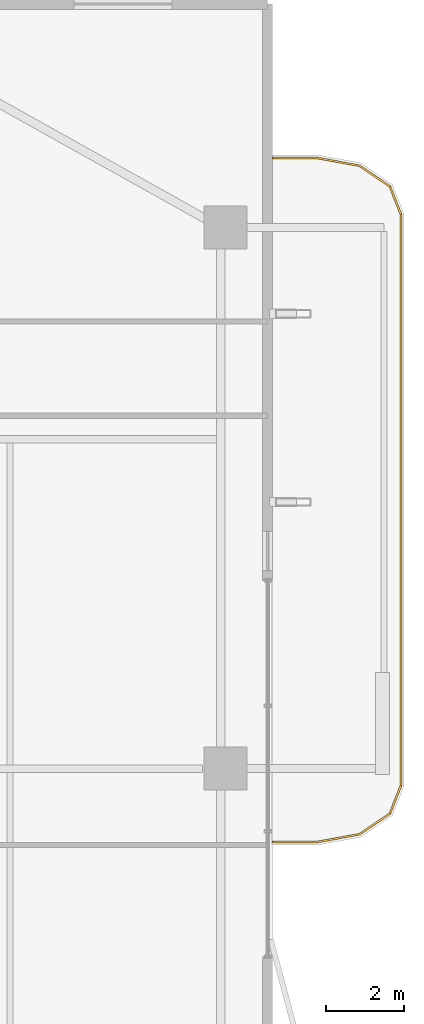
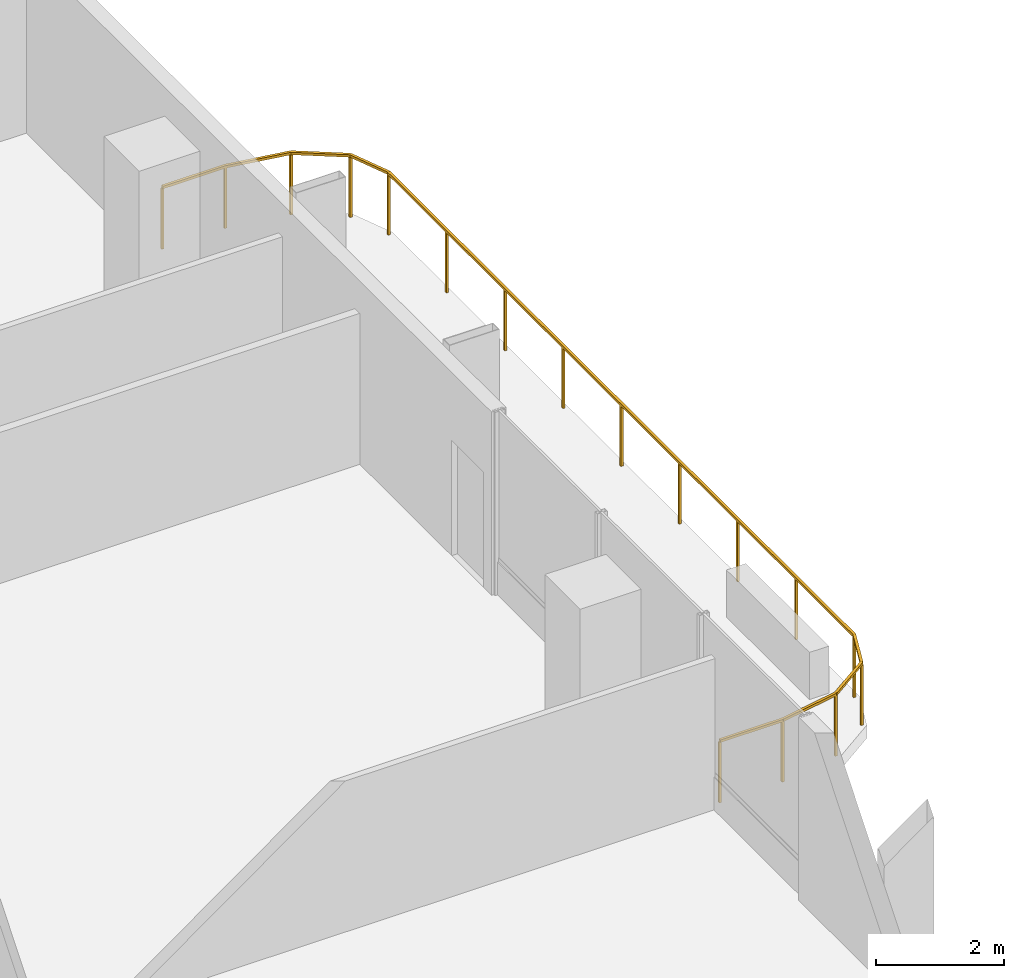
# One storey, part 29 of 29: 1 railing.
"""IFC4 building model written with IfcOpenShell, lengths in metres."""

from ifc_helpers import new_model, si_unit, direction, frame, origin, origin_2d, place, context, subcontext, project, spatial, rectangle, extrude, material, type_object, element, save


model = new_model("IFC4")

# Units and contexts
model_context = context("Model", 3, precision=1e-05, world=origin(), true_north=direction((0.0, 1.0)))
body_context = subcontext(model_context, "Body", "Model", "MODEL_VIEW")
ifc_project = project(units=[si_unit("LENGTHUNIT", "METRE"), si_unit("AREAUNIT", "SQUARE_METRE"), si_unit("VOLUMEUNIT", "CUBIC_METRE"), si_unit("PLANEANGLEUNIT", "RADIAN"), si_unit("MASSUNIT", "GRAM", prefix="KILO")], contexts=[model_context])

# Site, building, storey
site_placement = place(None, origin())
site = spatial("IfcSite", under=ifc_project, at=site_placement, CompositionType="ELEMENT")
building_placement = place(site_placement, origin())
building = spatial("IfcBuilding", under=site, at=building_placement, Name="Belovzor Exchange Tower", CompositionType="ELEMENT")
storey_placement = place(building_placement, frame((0.0, 0.0, 199.949951171875)))
storey = spatial("IfcBuildingStorey", under=building, at=storey_placement, Name="L49", CompositionType="ELEMENT", Elevation=199.949951171875)

# Railing
ifc_material = material(Name="Stainless Steel and Laminated Safety Glass", Category="steel")
railing_type = type_object("IfcRailingType", Name="Laminated Glass & Stainless Steel Balcony Balustrade 1200", PredefinedType="BALUSTRADE", material=ifc_material)
railing_placement = place(storey_placement, frame((55.81005859375, 26.929931640625, 0.0)))
element("IfcRailing", 1, at=railing_placement, inside=storey, type_object=railing_type, Name="GR-1 Balcony Balustrade L49 East", PredefinedType="BALUSTRADE", context=body_context, shape_type="SweptSolid", body=[
    extrude(rectangle(XDim=0.048095703125, YDim=0.048095703125, at=origin_2d()), frame((0.0, 0.0, 1.17578125), z_axis=(1.0, 0.0, 0.0), x_axis=(0.0, 1.0, 0.0)), (0.0, 0.0, 1.0), 1.133056640625),
    extrude(rectangle(XDim=0.048095703125, YDim=0.048095703125, at=origin_2d()), frame((1.133056640625, 0.0, 1.17578125), z_axis=(0.983644145941, 0.180122719713, 0.0), x_axis=(-0.180122719713, 0.983644145941, 0.0)), (0.0, 0.0, 1.0), 1.09375),
    extrude(rectangle(XDim=0.048095703125, YDim=0.048095703125, at=origin_2d()), frame((2.208984375, 0.197021484375, 1.17578125), z_axis=(0.826493025367, 0.56294695933, 0.0), x_axis=(-0.56294695933, 0.826493025367, 0.0)), (0.0, 0.0, 1.0), 0.932861328125),
    extrude(rectangle(XDim=0.048095703125, YDim=0.048095703125, at=origin_2d()), frame((2.97998046875, 0.72216796875, 1.17578125), z_axis=(0.365612923861, 0.930766990125, 0.0), x_axis=(-0.930766990125, 0.365612923861, 0.0)), (0.0, 0.0, 1.0), 0.765869140625),
    extrude(rectangle(XDim=0.048095703125, YDim=0.048095703125, at=origin_2d()), frame((3.260009765625, 1.43505859375, 1.17578125), z_axis=(0.0, 1.0, 0.0), x_axis=(-1.0, 0.0, 0.0)), (0.0, 0.0, 1.0), 14.570068359375),
    extrude(rectangle(XDim=0.048095703125, YDim=0.048095703125, at=origin_2d()), frame((3.260009765625, 16.005126953125, 1.17578125), z_axis=(-0.365612923861, 0.930766990125, 0.0), x_axis=(-0.930766990125, -0.365612923861, 0.0)), (0.0, 0.0, 1.0), 0.765869140625),
    extrude(rectangle(XDim=0.048095703125, YDim=0.048095703125, at=origin_2d()), frame((2.97998046875, 16.718017578125, 1.17578125), z_axis=(-0.826493025367, 0.56294695933, 0.0), x_axis=(-0.56294695933, -0.826493025367, 0.0)), (0.0, 0.0, 1.0), 0.932861328125),
    extrude(rectangle(XDim=0.048095703125, YDim=0.048095703125, at=origin_2d()), frame((2.208984375, 17.2431640625, 1.17578125), z_axis=(-0.983644145941, 0.180122719713, 0.0), x_axis=(-0.180122719713, -0.983644145941, 0.0)), (0.0, 0.0, 1.0), 1.09375),
    extrude(rectangle(XDim=0.048095703125, YDim=0.048095703125, at=origin_2d()), frame((1.133056640625, 17.440185546875, 1.17578125), z_axis=(-1.0, 0.0, 0.0), x_axis=(0.0, -1.0, 0.0)), (0.0, 0.0, 1.0), 1.133056640625),
    extrude(rectangle(XDim=0.0419921875, YDim=0.0419921875, at=origin_2d()), origin(), (0.0, 0.0, 1.0), 1.15185546875),
    extrude(rectangle(XDim=0.0419921875, YDim=0.0419921875, at=origin_2d()), frame((1.133056640625, 0.0, 0.0)), (0.0, 0.0, 1.0), 1.15185546875),
    extrude(rectangle(XDim=0.0419921875, YDim=0.0419921875, at=origin_2d()), frame((2.208984375, 0.197021484375, 0.0)), (0.0, 0.0, 1.0), 1.15185546875),
    extrude(rectangle(XDim=0.0419921875, YDim=0.0419921875, at=origin_2d()), frame((2.97998046875, 0.72216796875, 0.0)), (0.0, 0.0, 1.0), 1.15185546875),
    extrude(rectangle(XDim=0.0419921875, YDim=0.0419921875, at=origin_2d()), frame((3.260009765625, 1.43505859375, 0.0)), (0.0, 0.0, 1.0), 1.15185546875),
    extrude(rectangle(XDim=0.0419921875, YDim=0.0419921875, at=origin_2d()), frame((3.260009765625, 3.25634765625, 0.0)), (0.0, 0.0, 1.0), 1.15185546875),
    extrude(rectangle(XDim=0.0419921875, YDim=0.0419921875, at=origin_2d()), frame((3.260009765625, 5.07763671875, 0.0)), (0.0, 0.0, 1.0), 1.15185546875),
    extrude(rectangle(XDim=0.0419921875, YDim=0.0419921875, at=origin_2d()), frame((3.260009765625, 6.89892578125, 0.0)), (0.0, 0.0, 1.0), 1.15185546875),
    extrude(rectangle(XDim=0.0419921875, YDim=0.0419921875, at=origin_2d()), frame((3.260009765625, 8.72021484375, 0.0)), (0.0, 0.0, 1.0), 1.15185546875),
    extrude(rectangle(XDim=0.0419921875, YDim=0.0419921875, at=origin_2d()), frame((3.260009765625, 10.541259765625, 0.0)), (0.0, 0.0, 1.0), 1.15185546875),
    extrude(rectangle(XDim=0.0419921875, YDim=0.0419921875, at=origin_2d()), frame((3.260009765625, 12.362548828125, 0.0)), (0.0, 0.0, 1.0), 1.15185546875),
    extrude(rectangle(XDim=0.0419921875, YDim=0.0419921875, at=origin_2d()), frame((3.260009765625, 14.183837890625, 0.0)), (0.0, 0.0, 1.0), 1.15185546875),
    extrude(rectangle(XDim=0.0419921875, YDim=0.0419921875, at=origin_2d()), frame((3.260009765625, 16.005126953125, 0.0)), (0.0, 0.0, 1.0), 1.15185546875),
    extrude(rectangle(XDim=0.0419921875, YDim=0.0419921875, at=origin_2d()), frame((2.97998046875, 16.718017578125, 0.0)), (0.0, 0.0, 1.0), 1.15185546875),
    extrude(rectangle(XDim=0.0419921875, YDim=0.0419921875, at=origin_2d()), frame((2.208984375, 17.2431640625, 0.0)), (0.0, 0.0, 1.0), 1.15185546875),
    extrude(rectangle(XDim=0.0419921875, YDim=0.0419921875, at=origin_2d()), frame((1.133056640625, 17.440185546875, 0.0)), (0.0, 0.0, 1.0), 1.15185546875),
    extrude(rectangle(XDim=0.0419921875, YDim=0.0419921875, at=origin_2d()), frame((0.0, 17.440185546875, 0.0)), (0.0, 0.0, 1.0), 1.15185546875),
])

save(model, "model.ifc")
